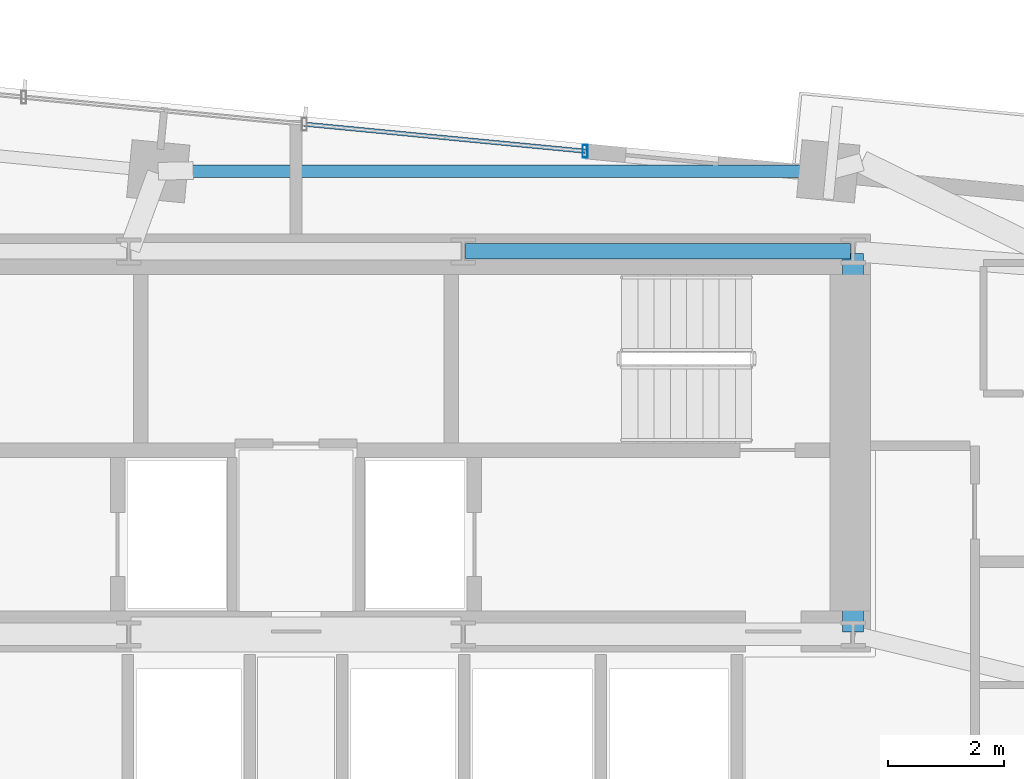
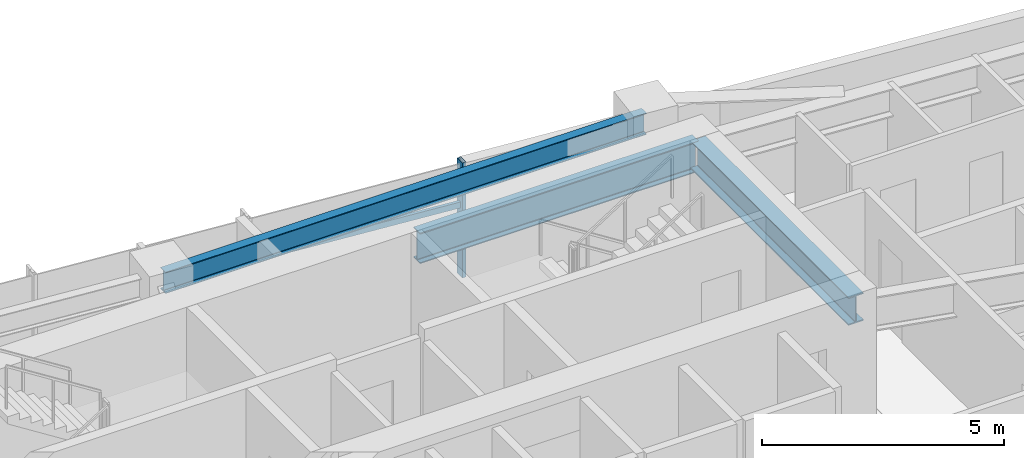
# One storey, part 12 of 20: 3 beams, 2 members, 1 element without a shape of its own.
"""IFC4 building model written with IfcOpenShell, lengths in metres."""

import ifcopenshell
import ifcopenshell.guid

model = None  # the IFC model being written
_history = None  # IfcOwnerHistory: only IFC2X3 demands one
_inside = {}  # id of a spatial element -> (the spatial element, [elements in it])
_under = {}  # id of a project, library or spatial element -> (it, [spatial elements below it])
_declared = {}  # id of a project -> (the project, [libraries it declares])
_typed = {}  # id of a type object -> (the type object, [elements of that type])
_made_of = {}  # id of a material, layer set ... -> (it, [elements and type objects made of it])


def new_model(schema):
    """Start an empty IFC model of exactly this schema.

    Asked for "IFC4X3", IfcOpenShell would pick the latest addendum, in which some entities
    have other attributes; the version numbers below select the first issue.
    IFC2X3 requires an IfcOwnerHistory on every rooted entity: one is made here for all.
    """
    global model, _history
    if schema == "IFC4X3":
        model = ifcopenshell.file(schema_version=(4, 3, 0, 0))
    else:
        model = ifcopenshell.file(schema=schema)
    _inside.clear()
    _under.clear()
    _declared.clear()
    _typed.clear()
    _made_of.clear()
    _history = None
    if model.schema == "IFC2X3":
        org = make("IfcOrganization", Name="unknown")
        user = make(
            "IfcPersonAndOrganization",
            ThePerson=make("IfcPerson", FamilyName="unknown"),
            TheOrganization=org,
        )
        app = make(
            "IfcApplication",
            ApplicationDeveloper=org,
            Version="unknown",
            ApplicationFullName="unknown",
            ApplicationIdentifier="unknown",
        )
        _history = make(
            "IfcOwnerHistory",
            OwningUser=user,
            OwningApplication=app,
            ChangeAction="ADDED",
            CreationDate=0,
        )
    return model


def make(cls, **values):
    """One entity of the class cls with the attributes given. An attribute that is None is left unset."""
    return model.create_entity(
        cls, **{name: value for name, value in values.items() if value is not None}
    )


def rooted(cls, **values):
    """An entity with a GlobalId (a new one), such as an element, a storey or a relation."""
    return make(cls, GlobalId=ifcopenshell.guid.new(), OwnerHistory=_history, **values)


def si_unit(unit_type, name, prefix=None):
    """IfcSIUnit, for example si_unit("LENGTHUNIT", "METRE", prefix="MILLI")."""
    return make("IfcSIUnit", UnitType=unit_type, Prefix=prefix, Name=name)


def assignment(units):
    """IfcUnitAssignment: the units of a project."""
    return None if units is None else make("IfcUnitAssignment", Units=units)


def point(xyz):
    """IfcCartesianPoint."""
    return None if xyz is None else make("IfcCartesianPoint", Coordinates=xyz)


def direction(xyz):
    """IfcDirection."""
    return None if xyz is None else make("IfcDirection", DirectionRatios=xyz)


def frame(location, z_axis=None, x_axis=None):
    """IfcAxis2Placement3D, a coordinate frame: its origin and axes. An axis left out is left unset."""
    return make(
        "IfcAxis2Placement3D",
        Location=point(location),
        Axis=direction(z_axis),
        RefDirection=direction(x_axis),
    )


def frame_2d(location, x_axis=None):
    """IfcAxis2Placement2D, a coordinate frame in the plane: its origin and x axis."""
    return make(
        "IfcAxis2Placement2D", Location=point(location), RefDirection=direction(x_axis)
    )


def origin():
    """The frame at (0, 0, 0) with its axes left unset."""
    return frame((0.0, 0.0, 0.0))


def origin_2d():
    """The frame at (0, 0) in the plane with its x axis left unset."""
    return frame_2d((0.0, 0.0))


def place(relative_to, where):
    """IfcLocalPlacement: puts the frame where relative to a parent placement (None: the world)."""
    return make(
        "IfcLocalPlacement", PlacementRelTo=relative_to, RelativePlacement=where
    )


def context(
    kind, dimensions, precision=None, world=None, true_north=None, identifier=None
):
    """IfcGeometricRepresentationContext, for example the 3D "Model" context."""
    return make(
        "IfcGeometricRepresentationContext",
        ContextIdentifier=identifier,
        ContextType=kind,
        CoordinateSpaceDimension=dimensions,
        Precision=precision,
        WorldCoordinateSystem=world,
        TrueNorth=true_north,
    )


def subcontext(parent, identifier, kind, view, scale=None):
    """IfcGeometricRepresentationSubContext, for example "Body" below "Model"."""
    return make(
        "IfcGeometricRepresentationSubContext",
        ContextIdentifier=identifier,
        ContextType=kind,
        ParentContext=parent,
        TargetScale=scale,
        TargetView=view,
    )


def project(units=None, contexts=None):
    """IfcProject with its units and contexts."""
    return rooted(
        "IfcProject",
        Name="project",
        RepresentationContexts=contexts,
        UnitsInContext=assignment(units),
    )


def spatial(cls, under=None, at=None, **own):
    """A site, building, storey or space (cls), placed at a placement, below another one or the project."""
    s = rooted(cls, ObjectPlacement=at, **own)
    if under is not None:
        _under.setdefault(under.id(), (under, []))[1].append(s)
    return s


def profile(cls, at=None, kind="AREA", **sizes):
    """A parametric profile (cls). Its sizes go by their IFC names, for example OverallWidth=200.0."""
    return make(cls, ProfileType=kind, Position=at, **sizes)


def hollow_rectangle(**sizes):
    """IfcRectangleHollowProfileDef."""
    return profile("IfcRectangleHollowProfileDef", **sizes)


def i_section(**sizes):
    """IfcIShapeProfileDef."""
    return profile("IfcIShapeProfileDef", **sizes)


def extrude(swept, where, along, depth):
    """IfcExtrudedAreaSolid: the profile swept, set in the frame where, extruded along a direction by depth."""
    return make(
        "IfcExtrudedAreaSolid",
        SweptArea=swept,
        Position=where,
        ExtrudedDirection=direction(along),
        Depth=depth,
    )


def shape(context_of_items, identifier, shape_type, items):
    """IfcShapeRepresentation: the items that make up one representation, for example the "Body"."""
    return make(
        "IfcShapeRepresentation",
        ContextOfItems=context_of_items,
        RepresentationIdentifier=identifier,
        RepresentationType=shape_type,
        Items=items,
    )


def source(mapping_origin, context_of_items, identifier, shape_type, items):
    """IfcRepresentationMap: a shape defined once, which mapped items show again and again."""
    return make(
        "IfcRepresentationMap",
        MappingOrigin=mapping_origin,
        MappedRepresentation=shape(context_of_items, identifier, shape_type, items),
    )


def transform(
    local_origin,
    x_axis=None,
    y_axis=None,
    z_axis=None,
    scale=None,
    scale2=None,
    scale3=None,
    uniform=True,
):
    """IfcCartesianTransformationOperator3D, or its non-uniform kind. x_axis, y_axis, z_axis: its Axis1, 2, 3."""
    if uniform:
        return make(
            "IfcCartesianTransformationOperator3D",
            Axis1=direction(x_axis),
            Axis2=direction(y_axis),
            LocalOrigin=point(local_origin),
            Scale=scale,
            Axis3=direction(z_axis),
        )
    return make(
        "IfcCartesianTransformationOperator3DnonUniform",
        Axis1=direction(x_axis),
        Axis2=direction(y_axis),
        LocalOrigin=point(local_origin),
        Scale=scale,
        Axis3=direction(z_axis),
        Scale2=scale2,
        Scale3=scale3,
    )


def mapped(mapping_source, mapping_target):
    """IfcMappedItem: shows the shape of a source again, moved by a transform."""
    return make(
        "IfcMappedItem", MappingSource=mapping_source, MappingTarget=mapping_target
    )


def material(Name=None, Category=None):
    """IfcMaterial."""
    return make("IfcMaterial", Name=Name, Category=Category)


def material_profile(
    of_material, cross_section, Name=None, Category=None, Priority=None
):
    """IfcMaterialProfile: a cross section and its material."""
    return make(
        "IfcMaterialProfile",
        Name=Name,
        Material=of_material,
        Profile=cross_section,
        Priority=Priority,
        Category=Category,
    )


def profile_set(profiles, Name=None, composite=None):
    """IfcMaterialProfileSet."""
    return make(
        "IfcMaterialProfileSet",
        Name=Name,
        MaterialProfiles=profiles,
        CompositeProfile=composite,
    )


def made_of(thing, what):
    """Note that an element or type object is made of a material, layer set ...; save() writes the relation."""
    if what is not None:
        _made_of.setdefault(what.id(), (what, []))[1].append(thing)
    return thing


def type_object(cls, material=None, **own):
    """A type object (cls), such as IfcWallType, which elements share."""
    return made_of(rooted(cls, **own), material)


def type_shapes(of_type, sources):
    """Give a type object the sources (RepresentationMaps) that its elements show as mapped items."""
    of_type.RepresentationMaps = sources


def element(
    cls,
    number,
    at=None,
    inside=None,
    cuts=None,
    type_object=None,
    material=None,
    context=None,
    identifier="Body",
    shape_type=None,
    held_by="IfcProductDefinitionShape",
    body=None,
    shapes=None,
    **own,
):
    """One element of the class cls, such as IfcWall. Its Tag is "e" and its number.

    at: its placement. inside: the storey or other place that contains it. cuts: it is an
    opening in that element (IfcRelVoidsElement). A single representation is given by context,
    identifier, shape_type and body (its items); several are given by shapes. held_by: the class
    of the entity that holds the representations. save() writes the other relations.
    """
    e = rooted(cls, Tag="e%d" % number, ObjectPlacement=at, **own)
    if body is not None:
        shapes = [shape(context, identifier, shape_type, body)]
    if shapes is not None:
        e.Representation = make(held_by, Representations=shapes)
    if inside is not None:
        _inside.setdefault(inside.id(), (inside, []))[1].append(e)
    if cuts is not None:
        rooted(
            "IfcRelVoidsElement", RelatingBuildingElement=cuts, RelatedOpeningElement=e
        )
    if type_object is not None:
        _typed.setdefault(type_object.id(), (type_object, []))[1].append(e)
    return made_of(e, material)


def aggregate(whole, parts):
    """IfcRelAggregates: a whole, such as a stair, and the parts it consists of."""
    return rooted("IfcRelAggregates", RelatingObject=whole, RelatedObjects=parts)


def save(model, path):
    """Write the relations noted so far, then the file.

    IfcRelAggregates (storeys below a building ...), IfcRelContainedInSpatialStructure (elements
    in a storey), IfcRelDefinesByType, IfcRelAssociatesMaterial and IfcRelDeclares: one each for
    every whole, place, type object, material and project.
    """
    for whole, parts in _under.values():
        aggregate(whole, parts)
    for where, things in _inside.values():
        rooted(
            "IfcRelContainedInSpatialStructure",
            RelatedElements=things,
            RelatingStructure=where,
        )
    for kind, things in _typed.values():
        rooted("IfcRelDefinesByType", RelatedObjects=things, RelatingType=kind)
    for what, things in _made_of.values():
        rooted("IfcRelAssociatesMaterial", RelatedObjects=things, RelatingMaterial=what)
    for by, libraries in _declared.values():
        rooted("IfcRelDeclares", RelatingContext=by, RelatedDefinitions=libraries)
    model.write(path)


model = new_model("IFC4")

# Units and contexts
model_context = context("Model", 3, precision=1e-05, world=origin(), true_north=direction((0.0, 1.0)))
body_context = subcontext(model_context, "Body", "Model", "MODEL_VIEW")
ifc_project = project(units=[si_unit("LENGTHUNIT", "METRE"), si_unit("AREAUNIT", "SQUARE_METRE"), si_unit("VOLUMEUNIT", "CUBIC_METRE"), si_unit("PLANEANGLEUNIT", "RADIAN"), si_unit("MASSUNIT", "GRAM", prefix="KILO")], contexts=[model_context])

# Site, building, storey
site_placement = place(None, origin())
site = spatial("IfcSite", under=ifc_project, at=site_placement, CompositionType="ELEMENT")
building_placement = place(site_placement, origin())
building = spatial("IfcBuilding", under=site, at=building_placement, Name="Astriad Promenade Condominiums", CompositionType="ELEMENT")
storey_placement = place(building_placement, frame((0.0, 0.0, 159.800048828125)))
storey = spatial("IfcBuildingStorey", under=building, at=storey_placement, Name="L46", CompositionType="ELEMENT", Elevation=159.800048828125)

# Beams
ifc_material_1 = material(Name="Steel ASTM A992 Grade 50", Category="steel")
ifc_material_profile_1 = material_profile(ifc_material_1, i_section(OverallWidth=0.267822265625, OverallDepth=0.76953125, WebThickness=0.015625, FlangeThickness=0.025390625, FilletRadius=0.021484375, at=origin_2d()), Name="W30X132")
ifc_profile_set_1 = profile_set([ifc_material_profile_1], Name="Steel ASTM A992 Grade 50")
beam_type_1 = type_object("IfcBeamType", Name="STEEL FLOOR GIRDER W30X132", PredefinedType="BEAM", material=ifc_profile_set_1)
shared_shape_1 = source(origin(), body_context, "Body", "SweptSolid", [
    extrude(i_section(OverallWidth=0.267822265625, OverallDepth=0.76953125, WebThickness=0.015625, FlangeThickness=0.025390625, FilletRadius=0.021484375, at=origin_2d()), origin(), (0.0, 0.0, 1.0), 6.64013671875),
])
type_shapes(beam_type_1, [shared_shape_1])
beam_1_placement = place(storey_placement, frame((38.919921875, 24.0, 2.51513671875), z_axis=(1.0, 0.0, 0.0), x_axis=(0.0, 1.0, 0.0)))
element("IfcBeam", 1, at=beam_1_placement, inside=storey, type_object=beam_type_1, Name="Core Ring Beam CG-N3-L46", PredefinedType="BEAM", context=body_context, shape_type="MappedRepresentation", body=[
    mapped(shared_shape_1, transform((0.0, 0.0, 0.0), scale=1.0)),
])
ifc_material_profile_2 = material_profile(ifc_material_1, i_section(OverallWidth=0.35791015625, OverallDepth=0.706298828125, WebThickness=0.018310546875, FlangeThickness=0.0302734375, FilletRadius=0.020263671875, at=origin_2d()), Name="W27X178")
ifc_profile_set_2 = profile_set([ifc_material_profile_2], Name="Steel ASTM A992 Grade 50")
beam_type_2 = type_object("IfcBeamType", Name="STEEL FLOOR GIRDER W27X178", PredefinedType="BEAM", material=ifc_profile_set_2)
shared_shape_2 = source(origin(), body_context, "Body", "SweptSolid", [
    extrude(i_section(OverallWidth=0.35791015625, OverallDepth=0.706298828125, WebThickness=0.018310546875, FlangeThickness=0.0302734375, FilletRadius=0.020263671875, at=origin_2d()), origin(), (0.0, 0.0, 1.0), 6.52001953125),
])
type_shapes(beam_type_2, [shared_shape_2])
beam_2_placement = place(storey_placement, frame((45.60009765625, 17.43994140625, 2.546630859375), z_axis=(0.0, 1.0, 0.0), x_axis=(-1.0, 0.0, 0.0)))
element("IfcBeam", 2, at=beam_2_placement, inside=storey, type_object=beam_type_2, Name="Core Ring Beam CG-E1-L46", PredefinedType="BEAM", context=body_context, shape_type="MappedRepresentation", body=[
    mapped(shared_shape_2, transform((0.0, 0.0, 0.0), scale=1.0)),
])
ifc_material_profile_3 = material_profile(ifc_material_1, i_section(OverallWidth=0.210693359375, OverallDepth=0.53955078125, WebThickness=0.01171875, FlangeThickness=0.018798828125, FilletRadius=0.0166015625, at=origin_2d()), Name="W21X73")
ifc_profile_set_3 = profile_set([ifc_material_profile_3], Name="Steel ASTM A992 Grade 50")
beam_type_3 = type_object("IfcBeamType", Name="STEEL SPANDREL BEAM W21X73", PredefinedType="SPANDREL", material=ifc_profile_set_3)
shared_shape_3 = source(origin(), body_context, "Body", "SweptSolid", [
    extrude(i_section(OverallWidth=0.210693359375, OverallDepth=0.53955078125, WebThickness=0.01171875, FlangeThickness=0.018798828125, FilletRadius=0.0166015625, at=origin_2d()), origin(), (0.0, 0.0, 1.0), 11.466552734375),
])
type_shapes(beam_type_3, [shared_shape_3])
beam_3_placement = place(storey_placement, frame((45.1328125, 25.3798828125, 2.63037109375), z_axis=(-0.999999999093, 4.258309e-05, 0.0), x_axis=(-4.258309e-05, -0.999999999093, 0.0)))
element("IfcBeam", 3, at=beam_3_placement, inside=storey, type_object=beam_type_3, Name="Perimeter Spandrel Beam SP-N3-L46", PredefinedType="SPANDREL", context=body_context, shape_type="MappedRepresentation", body=[
    mapped(shared_shape_3, transform((0.0, 0.0, 0.0), scale=1.0)),
])

# Curtain wall, members
ifc_material_2 = material(Name="Anodised aluminium Black Dark Glass Unitised", Category="aluminium")
curtain_wall_type = type_object("IfcCurtainWallType", Name="CW-B34-DARK", PredefinedType="USERDEFINED", material=ifc_material_2)
curtain_wall_placement = place(storey_placement, origin())
curtain_wall = element("IfcCurtainWall", 4, at=curtain_wall_placement, inside=storey, type_object=curtain_wall_type, Name="CW-L46-N", ObjectType="UNITISED_CURTAIN_WALL", PredefinedType="USERDEFINED")
ifc_material_3 = material(Name="Anodised aluminium 6063-T6 Black", Category="aluminium")
ifc_material_profile_4 = material_profile(ifc_material_3, hollow_rectangle(XDim=0.074951171875, YDim=0.14990234375, WallThickness=0.004150390625, at=origin_2d()), Name="ALU-TRN-75X150")
ifc_profile_set_4 = profile_set([ifc_material_profile_4], Name="Anodised aluminium 6063-T6 Black")
member_type_1 = type_object("IfcMemberType", Name="TRN-ALU-TRN-75X150", PredefinedType="USERDEFINED", material=ifc_profile_set_4)
shared_shape_4 = source(origin(), body_context, "Body", "SweptSolid", [
    extrude(hollow_rectangle(XDim=0.074951171875, YDim=0.14990234375, WallThickness=0.004150390625, at=origin_2d()), origin(), (0.0, 0.0, 1.0), 4.860107421875),
])
type_shapes(member_type_1, [shared_shape_4])
member_1_placement = place(storey_placement, frame((36.145751953125, 26.1923828125, 1.7978515625), z_axis=(0.995400834012, -0.095797597298, 0.0), x_axis=(0.095797597298, 0.995400834012, 0.0)))
member_1 = element("IfcMember", 5, at=member_1_placement, type_object=member_type_1, Name="CW-L46-N-TRN-02-0", ObjectType="TRANSOM", PredefinedType="USERDEFINED", context=body_context, shape_type="MappedRepresentation", body=[
    mapped(shared_shape_4, transform((0.0, 0.0, 0.0), scale=1.0)),
])
ifc_material_profile_5 = material_profile(ifc_material_3, hollow_rectangle(XDim=0.0849609375, YDim=0.219970703125, WallThickness=0.0048828125, at=origin_2d()), Name="ALU-MUL-85X220")
ifc_profile_set_5 = profile_set([ifc_material_profile_5], Name="Anodised aluminium 6063-T6 Black")
member_type_2 = type_object("IfcMemberType", Name="MUL-ALU-MUL-85X220", PredefinedType="MULLION", material=ifc_profile_set_5)
shared_shape_5 = source(origin(), body_context, "Body", "SweptSolid", [
    extrude(hollow_rectangle(XDim=0.0849609375, YDim=0.219970703125, WallThickness=0.0048828125, at=origin_2d()), origin(), (0.0, 0.0, 1.0), 2.89990234375),
])
type_shapes(member_type_2, [shared_shape_5])
member_2_placement = place(storey_placement, frame((40.9833984375, 25.726806640625, 0.0), z_axis=(0.0, 0.0, 1.0), x_axis=(1.0, 0.0, 0.0)))
member_2 = element("IfcMember", 6, at=member_2_placement, type_object=member_type_2, Name="CW-L46-N-MUL-03", PredefinedType="MULLION", context=body_context, shape_type="MappedRepresentation", body=[
    mapped(shared_shape_5, transform((0.0, 0.0, 0.0), scale=1.0)),
])
aggregate(curtain_wall, [member_2, member_1])

save(model, "model.ifc")
